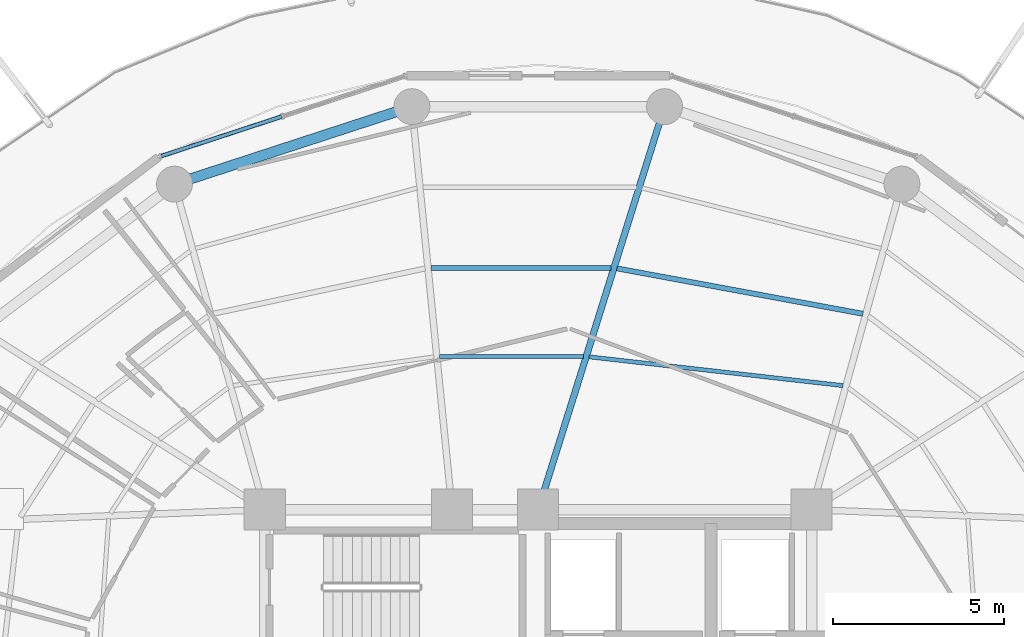
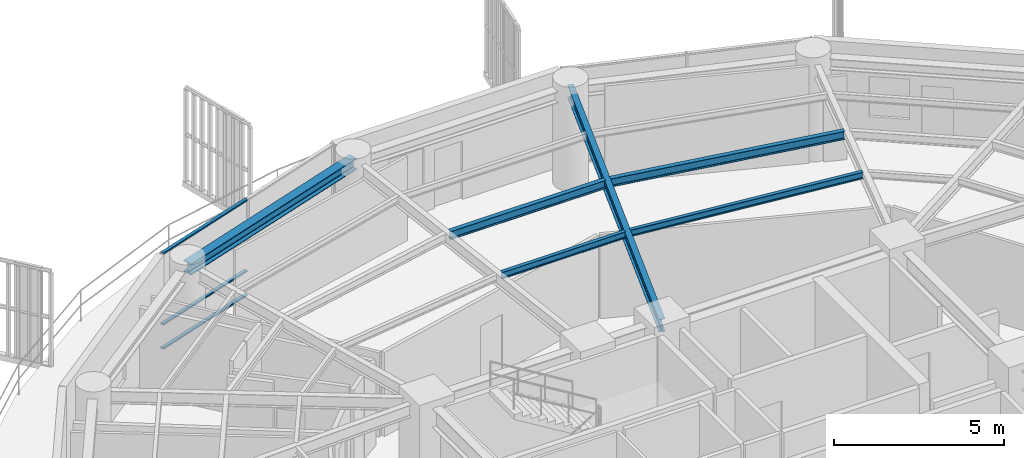
# One storey, part 18 of 30: 6 beams, 3 members, 1 element without a shape of its own.
"""IFC4 building model written with IfcOpenShell, lengths in metres."""

from ifc_helpers import new_model, si_unit, direction, frame, origin, origin_2d, place, context, subcontext, project, spatial, hollow_rectangle, i_section, extrude, material, layer, layer_set, material_profile, profile_set, type_object, element, aggregate, save


model = new_model("IFC4")

# Units and contexts
model_context = context("Model", 3, precision=1e-05, world=origin(), true_north=direction((0.0, 1.0)))
body_context = subcontext(model_context, "Body", "Model", "MODEL_VIEW")
ifc_project = project(units=[si_unit("LENGTHUNIT", "METRE"), si_unit("AREAUNIT", "SQUARE_METRE"), si_unit("VOLUMEUNIT", "CUBIC_METRE"), si_unit("PLANEANGLEUNIT", "RADIAN"), si_unit("MASSUNIT", "GRAM", prefix="KILO")], contexts=[model_context])

# Site, building, storey
site_placement = place(None, origin())
site = spatial("IfcSite", under=ifc_project, at=site_placement, CompositionType="ELEMENT")
building_placement = place(site_placement, origin())
building = spatial("IfcBuilding", under=site, at=building_placement, Name="Kelanora Arch Commons", CompositionType="ELEMENT")
storey_placement = place(building_placement, frame((0.0, 0.0, 211.949951171875)))
storey = spatial("IfcBuildingStorey", under=building, at=storey_placement, Name="L54", CompositionType="ELEMENT", Elevation=211.949951171875)

# Beams
ifc_material_1 = material(Name="Steel S355", Category="steel")
ifc_material_profile_1 = material_profile(ifc_material_1, i_section(OverallWidth=0.14990234375, OverallDepth=0.300048828125, WebThickness=0.007080078125, FlangeThickness=0.0107421875, FilletRadius=0.014892578125, at=origin_2d()), Name="IPE300")
ifc_profile_set_1 = profile_set([ifc_material_profile_1], Name="Steel S355")
beam_type_1 = type_object("IfcBeamType", Name="BM-JST-01", PredefinedType="JOIST", material=ifc_profile_set_1)
beam_1_placement = place(storey_placement, frame((83.50048828125, 70.729736328125, 3.340087890625), z_axis=(-0.983389964671, 0.181505309519, 0.0), x_axis=(-0.181505309519, -0.983389964671, 0.0)))
element("IfcBeam", 1, at=beam_1_placement, inside=storey, type_object=beam_type_1, Name="Secondary Chord Joist BJB-06 L54", PredefinedType="JOIST", context=body_context, shape_type="SweptSolid", body=[
    extrude(i_section(OverallWidth=0.14990234375, OverallDepth=0.300048828125, WebThickness=0.007080078125, FlangeThickness=0.0107421875, FilletRadius=0.014892578125, at=origin_2d()), origin(), (0.0, 0.0, 1.0), 7.3212890625),
])
beam_2_placement = place(storey_placement, frame((76.132080078125, 72.07421875, 3.340087890625), z_axis=(-1.0, 0.0, 0.0), x_axis=(0.0, -1.0, 0.0)))
element("IfcBeam", 2, at=beam_2_placement, inside=storey, type_object=beam_type_1, Name="Secondary Chord Joist BJB-08 L54", PredefinedType="JOIST", context=body_context, shape_type="SweptSolid", body=[
    extrude(i_section(OverallWidth=0.14990234375, OverallDepth=0.300048828125, WebThickness=0.007080078125, FlangeThickness=0.0107421875, FilletRadius=0.014892578125, at=origin_2d()), origin(), (0.0, 0.0, 1.0), 5.272216796875),
])
ifc_material_profile_2 = material_profile(ifc_material_1, i_section(OverallWidth=0.1201171875, OverallDepth=0.239990234375, WebThickness=0.006103515625, FlangeThickness=0.009765625, FilletRadius=0.014892578125, at=origin_2d()), Name="IPE240")
ifc_profile_set_2 = profile_set([ifc_material_profile_2], Name="Steel S355")
beam_type_2 = type_object("IfcBeamType", Name="BM-JST-02", PredefinedType="JOIST", material=ifc_profile_set_2)
beam_3_placement = place(storey_placement, frame((82.918701171875, 68.628662109375, 3.3701171875), z_axis=(-0.993639672263, 0.11260640171, 0.0), x_axis=(-0.11260640171, -0.993639672263, 0.0)))
element("IfcBeam", 3, at=beam_3_placement, inside=storey, type_object=beam_type_2, Name="Secondary Chord Joist BJA-06 L54", PredefinedType="JOIST", context=body_context, shape_type="SweptSolid", body=[
    extrude(i_section(OverallWidth=0.1201171875, OverallDepth=0.239990234375, WebThickness=0.006103515625, FlangeThickness=0.009765625, FilletRadius=0.014892578125, at=origin_2d()), origin(), (0.0, 0.0, 1.0), 7.477783203125),
])
beam_4_placement = place(storey_placement, frame((75.319091796875, 69.480224609375, 3.3701171875), z_axis=(-1.0, 0.0, 0.0), x_axis=(0.0, -1.0, 0.0)))
element("IfcBeam", 4, at=beam_4_placement, inside=storey, type_object=beam_type_2, Name="Secondary Chord Joist BJA-08 L54", PredefinedType="JOIST", context=body_context, shape_type="SweptSolid", body=[
    extrude(i_section(OverallWidth=0.1201171875, OverallDepth=0.239990234375, WebThickness=0.006103515625, FlangeThickness=0.009765625, FilletRadius=0.014892578125, at=origin_2d()), origin(), (0.0, 0.0, 1.0), 4.20068359375),
])
ifc_material_profile_3 = material_profile(ifc_material_1, i_section(OverallWidth=0.18994140625, OverallDepth=0.449951171875, WebThickness=0.009521484375, FlangeThickness=0.0146484375, FilletRadius=0.02099609375, at=origin_2d()), Name="IPE450")
ifc_profile_set_3 = profile_set([ifc_material_profile_3], Name="Steel S355")
beam_type_3 = type_object("IfcBeamType", Name="BM-RAD-Z4", PredefinedType="BEAM", material=ifc_profile_set_3)
beam_5_placement = place(storey_placement, frame((74.0, 65.0, 3.26513671875), z_axis=(0.299080457492, 0.954227897279, 0.0), x_axis=(-0.954227897279, 0.299080457492, 0.0)))
element("IfcBeam", 5, at=beam_5_placement, inside=storey, type_object=beam_type_3, Name="Radial Floor Girder BR-08 L54", PredefinedType="BEAM", context=body_context, shape_type="SweptSolid", body=[
    extrude(i_section(OverallWidth=0.18994140625, OverallDepth=0.449951171875, WebThickness=0.009521484375, FlangeThickness=0.0146484375, FilletRadius=0.02099609375, at=origin_2d()), origin(), (0.0, 0.0, 1.0), 12.35546875),
])
ifc_material_profile_4 = material_profile(ifc_material_1, i_section(OverallWidth=0.300048828125, OverallDepth=0.39990234375, WebThickness=0.013427734375, FlangeThickness=0.02392578125, FilletRadius=0.027099609375, at=origin_2d()), Name="HEB400")
ifc_profile_set_4 = profile_set([ifc_material_profile_4], Name="Steel S355")
beam_type_4 = type_object("IfcBeamType", Name="BM-SPN-Z4", PredefinedType="SPANDREL", material=ifc_profile_set_4)
beam_6_placement = place(storey_placement, frame((70.3046875, 76.7900390625, 3.2900390625), z_axis=(-0.950656361143, -0.310245842872, 0.0), x_axis=(0.310245842872, -0.950656361143, 0.0)))
element("IfcBeam", 6, at=beam_6_placement, inside=storey, type_object=beam_type_4, Name="Perimeter Spandrel Beam BS-10 L54", PredefinedType="SPANDREL", context=body_context, shape_type="SweptSolid", body=[
    extrude(i_section(OverallWidth=0.300048828125, OverallDepth=0.39990234375, WebThickness=0.013427734375, FlangeThickness=0.02392578125, FilletRadius=0.027099609375, at=origin_2d()), origin(), (0.0, 0.0, 1.0), 7.304931640625),
])

# Curtain wall, members
ifc_material_2 = material(Name="Terracotta ceramic-fritted low-E glass and aluminium", Category="masonry")
ifc_layer = layer(ifc_material_2, 0.175048828125)
ifc_layer_set = layer_set([ifc_layer], Name="Terracotta ceramic-fritted low-E glass and aluminium")
curtain_wall_type = type_object("IfcCurtainWallType", Name="CW-SYS-02", PredefinedType="NOTDEFINED", material=ifc_layer_set)
curtain_wall_placement = place(storey_placement, origin())
curtain_wall = element("IfcCurtainWall", 7, at=curtain_wall_placement, inside=storey, type_object=curtain_wall_type, Name="Unitised Curtain Wall L54-B05", PredefinedType="NOTDEFINED")
ifc_material_3 = material(Name="Powder-coated aluminium terracotta", Category="masonry")
ifc_material_profile_5 = material_profile(ifc_material_3, hollow_rectangle(XDim=0.1201171875, YDim=0.06005859375, WallThickness=0.0048828125, InnerFilletRadius=0.0048828125, OuterFilletRadius=0.010009765625, at=origin_2d()), Name="CWT120x60")
ifc_profile_set_5 = profile_set([ifc_material_profile_5], Name="Powder-coated aluminium terracotta")
member_type = type_object("IfcMemberType", Name="CWT-STD", PredefinedType="USERDEFINED", material=ifc_profile_set_5)
member_1_placement = place(storey_placement, frame((66.493896484375, 76.4990234375, 0.030029296875), z_axis=(-0.950226025222, -0.311561392011, 0.0), x_axis=(0.311561392011, -0.950226025222, 0.0)))
member_1 = element("IfcMember", 8, at=member_1_placement, type_object=member_type, Name="CW-02 transom 2.1", ObjectType="TRANSOM", PredefinedType="USERDEFINED", context=body_context, shape_type="SweptSolid", body=[
    extrude(hollow_rectangle(XDim=0.1201171875, YDim=0.06005859375, WallThickness=0.0048828125, InnerFilletRadius=0.0048828125, OuterFilletRadius=0.010009765625, at=origin_2d()), origin(), (0.0, 0.0, 1.0), 3.707275390625),
])
member_2_placement = place(storey_placement, frame((66.493896484375, 76.4990234375, 0.900146484375), z_axis=(-0.950226025222, -0.311561392011, 0.0), x_axis=(0.311561392011, -0.950226025222, 0.0)))
member_2 = element("IfcMember", 9, at=member_2_placement, type_object=member_type, Name="CW-02 transom 2.2", ObjectType="TRANSOM", PredefinedType="USERDEFINED", context=body_context, shape_type="SweptSolid", body=[
    extrude(hollow_rectangle(XDim=0.1201171875, YDim=0.06005859375, WallThickness=0.0048828125, InnerFilletRadius=0.0048828125, OuterFilletRadius=0.010009765625, at=origin_2d()), origin(), (0.0, 0.0, 1.0), 3.707275390625),
])
member_3_placement = place(storey_placement, frame((66.493896484375, 76.4990234375, 3.445068359375), z_axis=(-0.950226025222, -0.311561392011, 0.0), x_axis=(0.311561392011, -0.950226025222, 0.0)))
member_3 = element("IfcMember", 10, at=member_3_placement, type_object=member_type, Name="CW-02 transom 2.3", ObjectType="TRANSOM", PredefinedType="USERDEFINED", context=body_context, shape_type="SweptSolid", body=[
    extrude(hollow_rectangle(XDim=0.1201171875, YDim=0.06005859375, WallThickness=0.0048828125, InnerFilletRadius=0.0048828125, OuterFilletRadius=0.010009765625, at=origin_2d()), origin(), (0.0, 0.0, 1.0), 3.707275390625),
])
aggregate(curtain_wall, [member_1, member_2, member_3])

save(model, "model.ifc")
